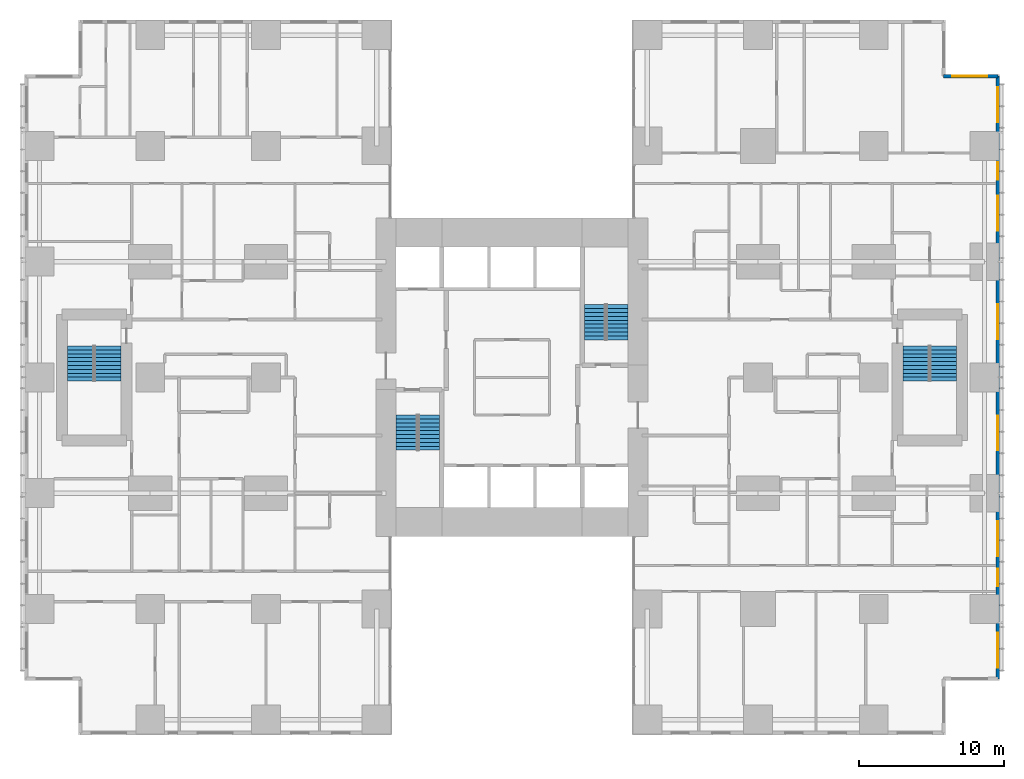
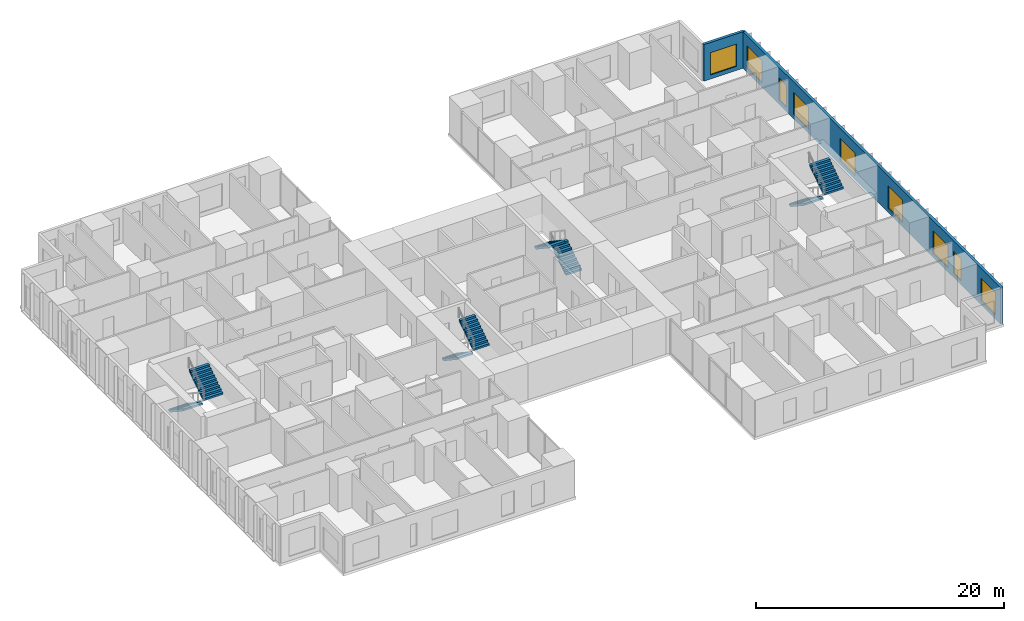
# One storey, part 19 of 20: 9 windows, 8 stair flights, 2 walls, 9 openings, 4 elements without a shape of their own.
"""IFC4 building model written with IfcOpenShell, lengths in metres."""

from ifc_helpers import new_model, si_unit, direction, frame, frame_2d, origin, place, context, subcontext, project, spatial, polyline, rectangle, outline, extrude, material, layer, layer_set, type_object, element, fill, aggregate, save


model = new_model("IFC4")

# Units and contexts
model_context = context("Model", 3, precision=1e-05, world=origin(), true_north=direction((0.0, 1.0)))
body_context = subcontext(model_context, "Body", "Model", "MODEL_VIEW")
ifc_project = project(units=[si_unit("LENGTHUNIT", "METRE"), si_unit("AREAUNIT", "SQUARE_METRE"), si_unit("VOLUMEUNIT", "CUBIC_METRE"), si_unit("PLANEANGLEUNIT", "RADIAN"), si_unit("MASSUNIT", "GRAM", prefix="KILO")], contexts=[model_context])

# Site, building, storey
site_placement = place(None, origin())
site = spatial("IfcSite", under=ifc_project, at=site_placement, CompositionType="ELEMENT")
building_placement = place(site_placement, origin())
building = spatial("IfcBuilding", under=site, at=building_placement, Name="Cleftline Residences", CompositionType="ELEMENT")
storey_placement = place(building_placement, frame((0.0, 0.0, 117.800048828125)))
storey = spatial("IfcBuildingStorey", under=building, at=storey_placement, Name="L30", CompositionType="ELEMENT", Elevation=117.800048828125)

# Wall, openings, windows
ifc_material_1 = material(Name="Rendered reinforced concrete blockwork", Category="masonry")
ifc_layer = layer(ifc_material_1, 0.25)
ifc_layer_set = layer_set([ifc_layer], Name="EXTERNAL WALL 250")
wall_type = type_object("IfcWallType", Name="EXTERNAL WALL 250", PredefinedType="SOLIDWALL", material=ifc_layer_set)
wall_1_placement = place(storey_placement, frame((66.574951171875, 3.175048828125, 0.0), z_axis=(0.0, 0.0, 1.0), x_axis=(0.0, 1.0, 0.0)))
wall_1 = element("IfcWall", 1, at=wall_1_placement, inside=storey, type_object=wall_type, Name="External wall", PredefinedType="SOLIDWALL", context=body_context, shape_type="SweptSolid", body=[
    extrude(rectangle(XDim=41.64990234375, YDim=0.25, at=frame_2d((20.824951171875, 0.0))), origin(), (0.0, 0.0, 1.0), 3.599853515625),
])
opening_1_placement = place(wall_1_placement, frame((0.77490234375, 0.0, 0.39990234375)))
opening_1 = element("IfcOpeningElement", 2, at=opening_1_placement, cuts=wall_1, Name="Opening W12", PredefinedType="OPENING", context=body_context, shape_type="SweptSolid", body=[
    extrude(rectangle(XDim=2.39990234375, YDim=2.199951171875, at=frame_2d((1.199951171875, 1.10009765625))), frame((0.0, 0.135009765625, 0.0), z_axis=(0.0, -1.0, 0.0), x_axis=(1.0, 0.0, 0.0)), (0.0, 0.0, 1.0), 0.27001953125),
])
opening_2_placement = place(wall_1_placement, frame((6.39990234375, 0.0, 0.39990234375)))
opening_2 = element("IfcOpeningElement", 3, at=opening_2_placement, cuts=wall_1, Name="Opening W11", PredefinedType="OPENING", context=body_context, shape_type="SweptSolid", body=[
    extrude(rectangle(XDim=1.199951171875, YDim=2.199951171875, at=frame_2d((0.60009765625, 1.10009765625))), frame((0.0, 0.135009765625, 0.0), z_axis=(0.0, -1.0, 0.0), x_axis=(1.0, 0.0, 0.0)), (0.0, 0.0, 1.0), 0.27001953125),
])
opening_3_placement = place(wall_1_placement, frame((8.47509765625, 0.0, 0.39990234375)))
opening_3 = element("IfcOpeningElement", 4, at=opening_3_placement, cuts=wall_1, Name="Opening W12", PredefinedType="OPENING", context=body_context, shape_type="SweptSolid", body=[
    extrude(rectangle(XDim=2.39990234375, YDim=2.199951171875, at=frame_2d((1.199951171875, 1.10009765625))), frame((0.0, 0.135009765625, 0.0), z_axis=(0.0, -1.0, 0.0), x_axis=(1.0, 0.0, 0.0)), (0.0, 0.0, 1.0), 0.27001953125),
])
opening_4_placement = place(wall_1_placement, frame((15.77490234375, 0.0, 0.39990234375)))
opening_4 = element("IfcOpeningElement", 5, at=opening_4_placement, cuts=wall_1, Name="Opening W12", PredefinedType="OPENING", context=body_context, shape_type="SweptSolid", body=[
    extrude(rectangle(XDim=2.39990234375, YDim=2.199951171875, at=frame_2d((1.199951171875, 1.10009765625))), frame((0.0, 0.135009765625, 0.0), z_axis=(0.0, -1.0, 0.0), x_axis=(1.0, 0.0, 0.0)), (0.0, 0.0, 1.0), 0.27001953125),
])
opening_5_placement = place(wall_1_placement, frame((23.47509765625, 0.0, 0.39990234375)))
opening_5 = element("IfcOpeningElement", 6, at=opening_5_placement, cuts=wall_1, Name="Opening W12", PredefinedType="OPENING", context=body_context, shape_type="SweptSolid", body=[
    extrude(rectangle(XDim=2.39990234375, YDim=2.199951171875, at=frame_2d((1.199951171875, 1.10009765625))), frame((0.0, 0.135009765625, 0.0), z_axis=(0.0, -1.0, 0.0), x_axis=(1.0, 0.0, 0.0)), (0.0, 0.0, 1.0), 0.27001953125),
])
opening_6_placement = place(wall_1_placement, frame((30.97509765625, 0.0, 0.39990234375)))
opening_6 = element("IfcOpeningElement", 7, at=opening_6_placement, cuts=wall_1, Name="Opening W12", PredefinedType="OPENING", context=body_context, shape_type="SweptSolid", body=[
    extrude(rectangle(XDim=2.39990234375, YDim=2.199951171875, at=frame_2d((1.199951171875, 1.10009765625))), frame((0.0, 0.135009765625, 0.0), z_axis=(0.0, -1.0, 0.0), x_axis=(1.0, 0.0, 0.0)), (0.0, 0.0, 1.0), 0.27001953125),
])
opening_7_placement = place(wall_1_placement, frame((34.5, 0.0, 0.39990234375)))
opening_7 = element("IfcOpeningElement", 8, at=opening_7_placement, cuts=wall_1, Name="Opening W11", PredefinedType="OPENING", context=body_context, shape_type="SweptSolid", body=[
    extrude(rectangle(XDim=1.199951171875, YDim=2.199951171875, at=frame_2d((0.60009765625, 1.10009765625))), frame((0.0, 0.135009765625, 0.0), z_axis=(0.0, -1.0, 0.0), x_axis=(1.0, 0.0, 0.0)), (0.0, 0.0, 1.0), 0.27001953125),
])
opening_8_placement = place(wall_1_placement, frame((38.47509765625, 0.0, 0.39990234375)))
opening_8 = element("IfcOpeningElement", 9, at=opening_8_placement, cuts=wall_1, Name="Opening W12", PredefinedType="OPENING", context=body_context, shape_type="SweptSolid", body=[
    extrude(rectangle(XDim=2.39990234375, YDim=2.199951171875, at=frame_2d((1.199951171875, 1.10009765625))), frame((0.0, 0.135009765625, 0.0), z_axis=(0.0, -1.0, 0.0), x_axis=(1.0, 0.0, 0.0)), (0.0, 0.0, 1.0), 0.27001953125),
])
ifc_material_2 = material(Name="Aluminium frame, clear double glazing", Category="aluminium")
window_type_1 = type_object("IfcWindowType", Name="WINDOW 1200X2200", PartitioningType="DOUBLE_PANEL_VERTICAL", PredefinedType="WINDOW", material=ifc_material_2)
window_1_placement = place(opening_2_placement, origin())
window_1 = element("IfcWindow", 10, at=window_1_placement, inside=storey, type_object=window_type_1, Name="Window", OverallHeight=2.199951171875, OverallWidth=1.199951171875, PartitioningType="SINGLE_PANEL", PredefinedType="WINDOW", context=body_context, shape_type="SweptSolid", body=[
    extrude(rectangle(XDim=1.199951171875, YDim=2.199951171875, at=frame_2d((0.60009765625, 1.10009765625))), frame((0.0, 0.030029296875, 0.0), z_axis=(0.0, -1.0, 0.0), x_axis=(1.0, 0.0, 0.0)), (0.0, 0.0, 1.0), 0.06005859375),
])
fill(opening_2, window_1)
window_2_placement = place(opening_7_placement, origin())
window_2 = element("IfcWindow", 11, at=window_2_placement, inside=storey, type_object=window_type_1, Name="Window", OverallHeight=2.199951171875, OverallWidth=1.199951171875, PartitioningType="SINGLE_PANEL", PredefinedType="WINDOW", context=body_context, shape_type="SweptSolid", body=[
    extrude(rectangle(XDim=1.199951171875, YDim=2.199951171875, at=frame_2d((0.60009765625, 1.10009765625))), frame((0.0, 0.030029296875, 0.0), z_axis=(0.0, -1.0, 0.0), x_axis=(1.0, 0.0, 0.0)), (0.0, 0.0, 1.0), 0.06005859375),
])
fill(opening_7, window_2)
ifc_material_3 = material(Name="Aluminium frame, clear double glazing", Category="aluminium")
window_type_2 = type_object("IfcWindowType", Name="WINDOW 2400X2200", PartitioningType="DOUBLE_PANEL_VERTICAL", PredefinedType="WINDOW", material=ifc_material_3)
window_3_placement = place(opening_1_placement, origin())
window_3 = element("IfcWindow", 12, at=window_3_placement, inside=storey, type_object=window_type_2, Name="Window", OverallHeight=2.199951171875, OverallWidth=2.39990234375, PartitioningType="SINGLE_PANEL", PredefinedType="WINDOW", context=body_context, shape_type="SweptSolid", body=[
    extrude(rectangle(XDim=2.39990234375, YDim=2.199951171875, at=frame_2d((1.199951171875, 1.10009765625))), frame((0.0, 0.030029296875, 0.0), z_axis=(0.0, -1.0, 0.0), x_axis=(1.0, 0.0, 0.0)), (0.0, 0.0, 1.0), 0.06005859375),
])
fill(opening_1, window_3)
window_4_placement = place(opening_3_placement, origin())
window_4 = element("IfcWindow", 13, at=window_4_placement, inside=storey, type_object=window_type_2, Name="Window", OverallHeight=2.199951171875, OverallWidth=2.39990234375, PartitioningType="SINGLE_PANEL", PredefinedType="WINDOW", context=body_context, shape_type="SweptSolid", body=[
    extrude(rectangle(XDim=2.39990234375, YDim=2.199951171875, at=frame_2d((1.199951171875, 1.10009765625))), frame((0.0, 0.030029296875, 0.0), z_axis=(0.0, -1.0, 0.0), x_axis=(1.0, 0.0, 0.0)), (0.0, 0.0, 1.0), 0.06005859375),
])
fill(opening_3, window_4)
window_5_placement = place(opening_4_placement, origin())
window_5 = element("IfcWindow", 14, at=window_5_placement, inside=storey, type_object=window_type_2, Name="Window", OverallHeight=2.199951171875, OverallWidth=2.39990234375, PartitioningType="SINGLE_PANEL", PredefinedType="WINDOW", context=body_context, shape_type="SweptSolid", body=[
    extrude(rectangle(XDim=2.39990234375, YDim=2.199951171875, at=frame_2d((1.199951171875, 1.10009765625))), frame((0.0, 0.030029296875, 0.0), z_axis=(0.0, -1.0, 0.0), x_axis=(1.0, 0.0, 0.0)), (0.0, 0.0, 1.0), 0.06005859375),
])
fill(opening_4, window_5)
window_6_placement = place(opening_5_placement, origin())
window_6 = element("IfcWindow", 15, at=window_6_placement, inside=storey, type_object=window_type_2, Name="Window", OverallHeight=2.199951171875, OverallWidth=2.39990234375, PartitioningType="SINGLE_PANEL", PredefinedType="WINDOW", context=body_context, shape_type="SweptSolid", body=[
    extrude(rectangle(XDim=2.39990234375, YDim=2.199951171875, at=frame_2d((1.199951171875, 1.10009765625))), frame((0.0, 0.030029296875, 0.0), z_axis=(0.0, -1.0, 0.0), x_axis=(1.0, 0.0, 0.0)), (0.0, 0.0, 1.0), 0.06005859375),
])
fill(opening_5, window_6)
window_7_placement = place(opening_6_placement, origin())
window_7 = element("IfcWindow", 16, at=window_7_placement, inside=storey, type_object=window_type_2, Name="Window", OverallHeight=2.199951171875, OverallWidth=2.39990234375, PartitioningType="SINGLE_PANEL", PredefinedType="WINDOW", context=body_context, shape_type="SweptSolid", body=[
    extrude(rectangle(XDim=2.39990234375, YDim=2.199951171875, at=frame_2d((1.199951171875, 1.10009765625))), frame((0.0, 0.030029296875, 0.0), z_axis=(0.0, -1.0, 0.0), x_axis=(1.0, 0.0, 0.0)), (0.0, 0.0, 1.0), 0.06005859375),
])
fill(opening_6, window_7)
window_8_placement = place(opening_8_placement, origin())
window_8 = element("IfcWindow", 17, at=window_8_placement, inside=storey, type_object=window_type_2, Name="Window", OverallHeight=2.199951171875, OverallWidth=2.39990234375, PartitioningType="SINGLE_PANEL", PredefinedType="WINDOW", context=body_context, shape_type="SweptSolid", body=[
    extrude(rectangle(XDim=2.39990234375, YDim=2.199951171875, at=frame_2d((1.199951171875, 1.10009765625))), frame((0.0, 0.030029296875, 0.0), z_axis=(0.0, -1.0, 0.0), x_axis=(1.0, 0.0, 0.0)), (0.0, 0.0, 1.0), 0.06005859375),
])
fill(opening_8, window_8)

# Wall, opening, window
wall_2_placement = place(storey_placement, frame((66.574951171875, 44.824951171875, 0.0), z_axis=(0.0, 0.0, 1.0), x_axis=(-1.0, 0.0, 0.0)))
wall_2 = element("IfcWall", 18, at=wall_2_placement, inside=storey, type_object=wall_type, Name="External wall", PredefinedType="SOLIDWALL", context=body_context, shape_type="SweptSolid", body=[
    extrude(rectangle(XDim=3.75, YDim=0.25, at=frame_2d((1.875, 0.0))), origin(), (0.0, 0.0, 1.0), 3.599853515625),
])
opening_9_placement = place(wall_2_placement, frame((0.737548828125, 0.0, 0.39990234375)))
opening_9 = element("IfcOpeningElement", 19, at=opening_9_placement, cuts=wall_2, Name="Opening W12", PredefinedType="OPENING", context=body_context, shape_type="SweptSolid", body=[
    extrude(rectangle(XDim=2.39990234375, YDim=2.199951171875, at=frame_2d((1.199951171875, 1.10009765625))), frame((0.0, 0.135009765625, 0.0), z_axis=(0.0, -1.0, 0.0), x_axis=(1.0, 0.0, 0.0)), (0.0, 0.0, 1.0), 0.27001953125),
])
window_9_placement = place(opening_9_placement, origin())
window_9 = element("IfcWindow", 20, at=window_9_placement, inside=storey, type_object=window_type_2, Name="Window", OverallHeight=2.199951171875, OverallWidth=2.39990234375, PartitioningType="SINGLE_PANEL", PredefinedType="WINDOW", context=body_context, shape_type="SweptSolid", body=[
    extrude(rectangle(XDim=2.39990234375, YDim=2.199951171875, at=frame_2d((1.199951171875, 1.10009765625))), frame((0.0, 0.030029296875, 0.0), z_axis=(0.0, -1.0, 0.0), x_axis=(1.0, 0.0, 0.0)), (0.0, 0.0, 1.0), 0.06005859375),
])
fill(opening_9, window_9)

# Stair, stair flights
ifc_material_4 = material(Name="Concrete B45, stone treads", Category="masonry")
stair_type_1 = type_object("IfcStairType", Name="STAIR A 1450 WIDE 180 RISER", PredefinedType="HALF_TURN_STAIR", material=ifc_material_4)
stair_1_placement = place(storey_placement, origin())
stair_1 = element("IfcStair", 21, at=stair_1_placement, inside=storey, type_object=stair_type_1, Name="Stair A L30", PredefinedType="HALF_TURN_STAIR")
ifc_material_5 = material(Name="Concrete B45", Category="concrete")
stair_flight_type_1 = type_object("IfcStairFlightType", Name="STAIR A FLIGHT 1450X180", PredefinedType="STRAIGHT", material=ifc_material_5)
stair_flight_1_placement = place(storey_placement, frame((25.72509765625, 21.39990234375, 0.0), z_axis=(0.0, 0.0, 1.0), x_axis=(0.0, -1.0, 0.0)))
stair_flight_1 = element("IfcStairFlight", 22, at=stair_flight_1_placement, type_object=stair_flight_type_1, Name="ST-A flight 1", NumberOfRisers=10, NumberOfTreads=9, PredefinedType="STRAIGHT", RiserHeight=0.18, TreadLength=0.27, context=body_context, shape_type="SweptSolid", body=[
    extrude(outline(polyline([(0.0, 0.0), (0.0, 0.013916015625), (0.0, 0.027587890625), (0.0, 0.04150390625), (0.0, 0.055419921875), (0.0, 0.0693359375), (0.0, 0.0830078125), (0.0, 0.096923828125), (0.0, 0.11083984375), (0.0, 0.12451171875), (0.0, 0.138427734375), (0.0, 0.15234375), (0.0, 0.166259765625), (0.0, 0.179931640625), (0.27001953125, 0.179931640625), (0.27001953125, 0.360107421875), (0.5400390625, 0.360107421875), (0.5400390625, 0.5400390625), (0.81005859375, 0.5400390625), (0.81005859375, 0.719970703125), (1.080078125, 0.719970703125), (1.080078125, 0.89990234375), (1.35009765625, 0.89990234375), (1.35009765625, 1.080078125), (1.6201171875, 1.080078125), (1.6201171875, 1.260009765625), (1.889892578125, 1.260009765625), (1.889892578125, 1.43994140625), (2.159912109375, 1.43994140625), (2.159912109375, 1.6201171875), (2.429931640625, 1.6201171875), (2.429931640625, 1.800048828125), (2.429931640625, 1.772216796875), (2.429931640625, 1.74462890625), (2.429931640625, 1.716796875), (2.429931640625, 1.689208984375), (2.429931640625, 1.661376953125), (2.429931640625, 1.6337890625), (2.429931640625, 1.60595703125), (2.429931640625, 1.578369140625), (2.429931640625, 1.550537109375), (2.429931640625, 1.52294921875), (2.429931640625, 1.495361328125), (2.429931640625, 1.467529296875), (2.429931640625, 1.43994140625), (0.270263671875, 0.0), (0.0, 0.0)])), frame((0.0, 0.72509765625, 0.0), z_axis=(0.0, -1.0, 0.0), x_axis=(1.0, 0.0, 0.0)), (0.0, 0.0, 1.0), 1.449951171875),
])
stair_flight_2_placement = place(storey_placement, frame((27.27490234375, 18.969970703125, 1.800048828125), z_axis=(0.0, 0.0, 1.0), x_axis=(0.0, 1.0, 0.0)))
stair_flight_2 = element("IfcStairFlight", 23, at=stair_flight_2_placement, type_object=stair_flight_type_1, Name="ST-A flight 2", NumberOfRisers=10, NumberOfTreads=9, PredefinedType="STRAIGHT", RiserHeight=0.18, TreadLength=0.27, context=body_context, shape_type="SweptSolid", body=[
    extrude(outline(polyline([(0.0, 0.0), (0.0, 0.013916015625), (0.0, 0.027587890625), (0.0, 0.04150390625), (0.0, 0.055419921875), (0.0, 0.0693359375), (0.0, 0.0830078125), (0.0, 0.096923828125), (0.0, 0.11083984375), (0.0, 0.12451171875), (0.0, 0.138427734375), (0.0, 0.15234375), (0.0, 0.166259765625), (0.0, 0.179931640625), (0.27001953125, 0.179931640625), (0.27001953125, 0.360107421875), (0.5400390625, 0.360107421875), (0.5400390625, 0.5400390625), (0.81005859375, 0.5400390625), (0.81005859375, 0.719970703125), (1.080078125, 0.719970703125), (1.080078125, 0.89990234375), (1.35009765625, 0.89990234375), (1.35009765625, 1.080078125), (1.6201171875, 1.080078125), (1.6201171875, 1.260009765625), (1.889892578125, 1.260009765625), (1.889892578125, 1.43994140625), (2.159912109375, 1.43994140625), (2.159912109375, 1.6201171875), (2.429931640625, 1.6201171875), (2.429931640625, 1.800048828125), (2.429931640625, 1.772216796875), (2.429931640625, 1.74462890625), (2.429931640625, 1.716796875), (2.429931640625, 1.689208984375), (2.429931640625, 1.661376953125), (2.429931640625, 1.6337890625), (2.429931640625, 1.60595703125), (2.429931640625, 1.578369140625), (2.429931640625, 1.550537109375), (2.429931640625, 1.52294921875), (2.429931640625, 1.495361328125), (2.429931640625, 1.467529296875), (2.429931640625, 1.43994140625), (0.270263671875, 0.0), (0.0, 0.0)])), frame((0.0, 0.72509765625, 0.0), z_axis=(0.0, -1.0, 0.0), x_axis=(1.0, 0.0, 0.0)), (0.0, 0.0, 1.0), 1.449951171875),
])
aggregate(stair_1, [stair_flight_1, stair_flight_2])

ifc_material_6 = material(Name="Concrete B45, stone treads", Category="masonry")
stair_type_2 = type_object("IfcStairType", Name="STAIR B 1450 WIDE 180 RISER", PredefinedType="HALF_TURN_STAIR", material=ifc_material_6)
stair_2_placement = place(storey_placement, origin())
stair_2 = element("IfcStair", 24, at=stair_2_placement, inside=storey, type_object=stair_type_2, Name="Stair B L30", PredefinedType="HALF_TURN_STAIR")
ifc_material_7 = material(Name="Concrete B45", Category="concrete")
stair_flight_type_2 = type_object("IfcStairFlightType", Name="STAIR B FLIGHT 1450X180", PredefinedType="STRAIGHT", material=ifc_material_7)
stair_flight_3_placement = place(storey_placement, frame((40.27490234375, 26.60009765625, 0.0), z_axis=(0.0, 0.0, 1.0), x_axis=(0.0, 1.0, 0.0)))
stair_flight_3 = element("IfcStairFlight", 25, at=stair_flight_3_placement, type_object=stair_flight_type_2, Name="ST-B flight 1", NumberOfRisers=10, NumberOfTreads=9, PredefinedType="STRAIGHT", RiserHeight=0.18, TreadLength=0.27, context=body_context, shape_type="SweptSolid", body=[
    extrude(outline(polyline([(0.0, 0.0), (0.0, 0.013916015625), (0.0, 0.027587890625), (0.0, 0.04150390625), (0.0, 0.055419921875), (0.0, 0.0693359375), (0.0, 0.0830078125), (0.0, 0.096923828125), (0.0, 0.11083984375), (0.0, 0.12451171875), (0.0, 0.138427734375), (0.0, 0.15234375), (0.0, 0.166259765625), (0.0, 0.179931640625), (0.27001953125, 0.179931640625), (0.27001953125, 0.360107421875), (0.5400390625, 0.360107421875), (0.5400390625, 0.5400390625), (0.81005859375, 0.5400390625), (0.81005859375, 0.719970703125), (1.080078125, 0.719970703125), (1.080078125, 0.89990234375), (1.35009765625, 0.89990234375), (1.35009765625, 1.080078125), (1.6201171875, 1.080078125), (1.6201171875, 1.260009765625), (1.889892578125, 1.260009765625), (1.889892578125, 1.43994140625), (2.159912109375, 1.43994140625), (2.159912109375, 1.6201171875), (2.429931640625, 1.6201171875), (2.429931640625, 1.800048828125), (2.429931640625, 1.772216796875), (2.429931640625, 1.74462890625), (2.429931640625, 1.716796875), (2.429931640625, 1.689208984375), (2.429931640625, 1.661376953125), (2.429931640625, 1.6337890625), (2.429931640625, 1.60595703125), (2.429931640625, 1.578369140625), (2.429931640625, 1.550537109375), (2.429931640625, 1.52294921875), (2.429931640625, 1.495361328125), (2.429931640625, 1.467529296875), (2.429931640625, 1.43994140625), (0.270263671875, 0.0), (0.0, 0.0)])), frame((0.0, 0.72509765625, 0.0), z_axis=(0.0, -1.0, 0.0), x_axis=(1.0, 0.0, 0.0)), (0.0, 0.0, 1.0), 1.449951171875),
])
stair_flight_4_placement = place(storey_placement, frame((38.72509765625, 29.030029296875, 1.800048828125), z_axis=(0.0, 0.0, 1.0), x_axis=(0.0, -1.0, 0.0)))
stair_flight_4 = element("IfcStairFlight", 26, at=stair_flight_4_placement, type_object=stair_flight_type_2, Name="ST-B flight 2", NumberOfRisers=10, NumberOfTreads=9, PredefinedType="STRAIGHT", RiserHeight=0.18, TreadLength=0.27, context=body_context, shape_type="SweptSolid", body=[
    extrude(outline(polyline([(0.0, 0.0), (0.0, 0.013916015625), (0.0, 0.027587890625), (0.0, 0.04150390625), (0.0, 0.055419921875), (0.0, 0.0693359375), (0.0, 0.0830078125), (0.0, 0.096923828125), (0.0, 0.11083984375), (0.0, 0.12451171875), (0.0, 0.138427734375), (0.0, 0.15234375), (0.0, 0.166259765625), (0.0, 0.179931640625), (0.27001953125, 0.179931640625), (0.27001953125, 0.360107421875), (0.5400390625, 0.360107421875), (0.5400390625, 0.5400390625), (0.81005859375, 0.5400390625), (0.81005859375, 0.719970703125), (1.080078125, 0.719970703125), (1.080078125, 0.89990234375), (1.35009765625, 0.89990234375), (1.35009765625, 1.080078125), (1.6201171875, 1.080078125), (1.6201171875, 1.260009765625), (1.889892578125, 1.260009765625), (1.889892578125, 1.43994140625), (2.159912109375, 1.43994140625), (2.159912109375, 1.6201171875), (2.429931640625, 1.6201171875), (2.429931640625, 1.800048828125), (2.429931640625, 1.772216796875), (2.429931640625, 1.74462890625), (2.429931640625, 1.716796875), (2.429931640625, 1.689208984375), (2.429931640625, 1.661376953125), (2.429931640625, 1.6337890625), (2.429931640625, 1.60595703125), (2.429931640625, 1.578369140625), (2.429931640625, 1.550537109375), (2.429931640625, 1.52294921875), (2.429931640625, 1.495361328125), (2.429931640625, 1.467529296875), (2.429931640625, 1.43994140625), (0.270263671875, 0.0), (0.0, 0.0)])), frame((0.0, 0.72509765625, 0.0), z_axis=(0.0, -1.0, 0.0), x_axis=(1.0, 0.0, 0.0)), (0.0, 0.0, 1.0), 1.449951171875),
])
aggregate(stair_2, [stair_flight_3, stair_flight_4])

ifc_material_8 = material(Name="Concrete B45, stone treads", Category="masonry")
stair_type_3 = type_object("IfcStairType", Name="STAIR E 1800 WIDE 180 RISER", PredefinedType="HALF_TURN_STAIR", material=ifc_material_8)
stair_3_placement = place(storey_placement, origin())
stair_3 = element("IfcStair", 27, at=stair_3_placement, inside=storey, type_object=stair_type_3, Name="Stair E L30", PredefinedType="HALF_TURN_STAIR")
ifc_material_9 = material(Name="Concrete B45", Category="concrete")
stair_flight_type_3 = type_object("IfcStairFlightType", Name="STAIR E FLIGHT 1800X180", PredefinedType="STRAIGHT", material=ifc_material_9)
stair_flight_5_placement = place(storey_placement, frame((60.925048828125, 26.175048828125, 0.0), z_axis=(0.0, 0.0, 1.0), x_axis=(0.0, -1.0, 0.0)))
stair_flight_5 = element("IfcStairFlight", 28, at=stair_flight_5_placement, type_object=stair_flight_type_3, Name="ST-E flight 1", NumberOfRisers=10, NumberOfTreads=9, PredefinedType="STRAIGHT", RiserHeight=0.18, TreadLength=0.27, context=body_context, shape_type="SweptSolid", body=[
    extrude(outline(polyline([(0.0, 0.0), (0.0, 0.013916015625), (0.0, 0.027587890625), (0.0, 0.04150390625), (0.0, 0.055419921875), (0.0, 0.0693359375), (0.0, 0.0830078125), (0.0, 0.096923828125), (0.0, 0.11083984375), (0.0, 0.12451171875), (0.0, 0.138427734375), (0.0, 0.15234375), (0.0, 0.166259765625), (0.0, 0.179931640625), (0.27001953125, 0.179931640625), (0.27001953125, 0.360107421875), (0.5400390625, 0.360107421875), (0.5400390625, 0.5400390625), (0.81005859375, 0.5400390625), (0.81005859375, 0.719970703125), (1.080078125, 0.719970703125), (1.080078125, 0.89990234375), (1.35009765625, 0.89990234375), (1.35009765625, 1.080078125), (1.6201171875, 1.080078125), (1.6201171875, 1.260009765625), (1.889892578125, 1.260009765625), (1.889892578125, 1.43994140625), (2.159912109375, 1.43994140625), (2.159912109375, 1.6201171875), (2.429931640625, 1.6201171875), (2.429931640625, 1.800048828125), (2.429931640625, 1.772216796875), (2.429931640625, 1.74462890625), (2.429931640625, 1.716796875), (2.429931640625, 1.689208984375), (2.429931640625, 1.661376953125), (2.429931640625, 1.6337890625), (2.429931640625, 1.60595703125), (2.429931640625, 1.578369140625), (2.429931640625, 1.550537109375), (2.429931640625, 1.52294921875), (2.429931640625, 1.495361328125), (2.429931640625, 1.467529296875), (2.429931640625, 1.43994140625), (0.270263671875, 0.0), (0.0, 0.0)])), frame((0.0, 0.89990234375, 0.0), z_axis=(0.0, -1.0, 0.0), x_axis=(1.0, 0.0, 0.0)), (0.0, 0.0, 1.0), 1.800048828125),
])
stair_flight_6_placement = place(storey_placement, frame((62.824951171875, 23.7451171875, 1.800048828125), z_axis=(0.0, 0.0, 1.0), x_axis=(0.0, 1.0, 0.0)))
stair_flight_6 = element("IfcStairFlight", 29, at=stair_flight_6_placement, type_object=stair_flight_type_3, Name="ST-E flight 2", NumberOfRisers=10, NumberOfTreads=9, PredefinedType="STRAIGHT", RiserHeight=0.18, TreadLength=0.27, context=body_context, shape_type="SweptSolid", body=[
    extrude(outline(polyline([(0.0, 0.0), (0.0, 0.013916015625), (0.0, 0.027587890625), (0.0, 0.04150390625), (0.0, 0.055419921875), (0.0, 0.0693359375), (0.0, 0.0830078125), (0.0, 0.096923828125), (0.0, 0.11083984375), (0.0, 0.12451171875), (0.0, 0.138427734375), (0.0, 0.15234375), (0.0, 0.166259765625), (0.0, 0.179931640625), (0.27001953125, 0.179931640625), (0.27001953125, 0.360107421875), (0.5400390625, 0.360107421875), (0.5400390625, 0.5400390625), (0.81005859375, 0.5400390625), (0.81005859375, 0.719970703125), (1.080078125, 0.719970703125), (1.080078125, 0.89990234375), (1.35009765625, 0.89990234375), (1.35009765625, 1.080078125), (1.6201171875, 1.080078125), (1.6201171875, 1.260009765625), (1.889892578125, 1.260009765625), (1.889892578125, 1.43994140625), (2.159912109375, 1.43994140625), (2.159912109375, 1.6201171875), (2.429931640625, 1.6201171875), (2.429931640625, 1.800048828125), (2.429931640625, 1.772216796875), (2.429931640625, 1.74462890625), (2.429931640625, 1.716796875), (2.429931640625, 1.689208984375), (2.429931640625, 1.661376953125), (2.429931640625, 1.6337890625), (2.429931640625, 1.60595703125), (2.429931640625, 1.578369140625), (2.429931640625, 1.550537109375), (2.429931640625, 1.52294921875), (2.429931640625, 1.495361328125), (2.429931640625, 1.467529296875), (2.429931640625, 1.43994140625), (0.270263671875, 0.0), (0.0, 0.0)])), frame((0.0, 0.89990234375, 0.0), z_axis=(0.0, -1.0, 0.0), x_axis=(1.0, 0.0, 0.0)), (0.0, 0.0, 1.0), 1.800048828125),
])
aggregate(stair_3, [stair_flight_5, stair_flight_6])

ifc_material_10 = material(Name="Concrete B45, stone treads", Category="masonry")
stair_type_4 = type_object("IfcStairType", Name="STAIR W 1800 WIDE 180 RISER", PredefinedType="HALF_TURN_STAIR", material=ifc_material_10)
stair_4_placement = place(storey_placement, origin())
stair_4 = element("IfcStair", 30, at=stair_4_placement, inside=storey, type_object=stair_type_4, Name="Stair W L30", PredefinedType="HALF_TURN_STAIR")
ifc_material_11 = material(Name="Concrete B45", Category="concrete")
stair_flight_type_4 = type_object("IfcStairFlightType", Name="STAIR W FLIGHT 1800X180", PredefinedType="STRAIGHT", material=ifc_material_11)
stair_flight_7_placement = place(storey_placement, frame((3.175048828125, 26.175048828125, 0.0), z_axis=(0.0, 0.0, 1.0), x_axis=(0.0, -1.0, 0.0)))
stair_flight_7 = element("IfcStairFlight", 31, at=stair_flight_7_placement, type_object=stair_flight_type_4, Name="ST-W flight 1", NumberOfRisers=10, NumberOfTreads=9, PredefinedType="STRAIGHT", RiserHeight=0.18, TreadLength=0.27, context=body_context, shape_type="SweptSolid", body=[
    extrude(outline(polyline([(0.0, 0.0), (0.0, 0.013916015625), (0.0, 0.027587890625), (0.0, 0.04150390625), (0.0, 0.055419921875), (0.0, 0.0693359375), (0.0, 0.0830078125), (0.0, 0.096923828125), (0.0, 0.11083984375), (0.0, 0.12451171875), (0.0, 0.138427734375), (0.0, 0.15234375), (0.0, 0.166259765625), (0.0, 0.179931640625), (0.27001953125, 0.179931640625), (0.27001953125, 0.360107421875), (0.5400390625, 0.360107421875), (0.5400390625, 0.5400390625), (0.81005859375, 0.5400390625), (0.81005859375, 0.719970703125), (1.080078125, 0.719970703125), (1.080078125, 0.89990234375), (1.35009765625, 0.89990234375), (1.35009765625, 1.080078125), (1.6201171875, 1.080078125), (1.6201171875, 1.260009765625), (1.889892578125, 1.260009765625), (1.889892578125, 1.43994140625), (2.159912109375, 1.43994140625), (2.159912109375, 1.6201171875), (2.429931640625, 1.6201171875), (2.429931640625, 1.800048828125), (2.429931640625, 1.772216796875), (2.429931640625, 1.74462890625), (2.429931640625, 1.716796875), (2.429931640625, 1.689208984375), (2.429931640625, 1.661376953125), (2.429931640625, 1.6337890625), (2.429931640625, 1.60595703125), (2.429931640625, 1.578369140625), (2.429931640625, 1.550537109375), (2.429931640625, 1.52294921875), (2.429931640625, 1.495361328125), (2.429931640625, 1.467529296875), (2.429931640625, 1.43994140625), (0.270263671875, 0.0), (0.0, 0.0)])), frame((0.0, 0.89990234375, 0.0), z_axis=(0.0, -1.0, 0.0), x_axis=(1.0, 0.0, 0.0)), (0.0, 0.0, 1.0), 1.800048828125),
])
stair_flight_8_placement = place(storey_placement, frame((5.074951171875, 23.7451171875, 1.800048828125), z_axis=(0.0, 0.0, 1.0), x_axis=(0.0, 1.0, 0.0)))
stair_flight_8 = element("IfcStairFlight", 32, at=stair_flight_8_placement, type_object=stair_flight_type_4, Name="ST-W flight 2", NumberOfRisers=10, NumberOfTreads=9, PredefinedType="STRAIGHT", RiserHeight=0.18, TreadLength=0.27, context=body_context, shape_type="SweptSolid", body=[
    extrude(outline(polyline([(0.0, 0.0), (0.0, 0.013916015625), (0.0, 0.027587890625), (0.0, 0.04150390625), (0.0, 0.055419921875), (0.0, 0.0693359375), (0.0, 0.0830078125), (0.0, 0.096923828125), (0.0, 0.11083984375), (0.0, 0.12451171875), (0.0, 0.138427734375), (0.0, 0.15234375), (0.0, 0.166259765625), (0.0, 0.179931640625), (0.27001953125, 0.179931640625), (0.27001953125, 0.360107421875), (0.5400390625, 0.360107421875), (0.5400390625, 0.5400390625), (0.81005859375, 0.5400390625), (0.81005859375, 0.719970703125), (1.080078125, 0.719970703125), (1.080078125, 0.89990234375), (1.35009765625, 0.89990234375), (1.35009765625, 1.080078125), (1.6201171875, 1.080078125), (1.6201171875, 1.260009765625), (1.889892578125, 1.260009765625), (1.889892578125, 1.43994140625), (2.159912109375, 1.43994140625), (2.159912109375, 1.6201171875), (2.429931640625, 1.6201171875), (2.429931640625, 1.800048828125), (2.429931640625, 1.772216796875), (2.429931640625, 1.74462890625), (2.429931640625, 1.716796875), (2.429931640625, 1.689208984375), (2.429931640625, 1.661376953125), (2.429931640625, 1.6337890625), (2.429931640625, 1.60595703125), (2.429931640625, 1.578369140625), (2.429931640625, 1.550537109375), (2.429931640625, 1.52294921875), (2.429931640625, 1.495361328125), (2.429931640625, 1.467529296875), (2.429931640625, 1.43994140625), (0.270263671875, 0.0), (0.0, 0.0)])), frame((0.0, 0.89990234375, 0.0), z_axis=(0.0, -1.0, 0.0), x_axis=(1.0, 0.0, 0.0)), (0.0, 0.0, 1.0), 1.800048828125),
])
aggregate(stair_4, [stair_flight_7, stair_flight_8])

save(model, "model.ifc")
